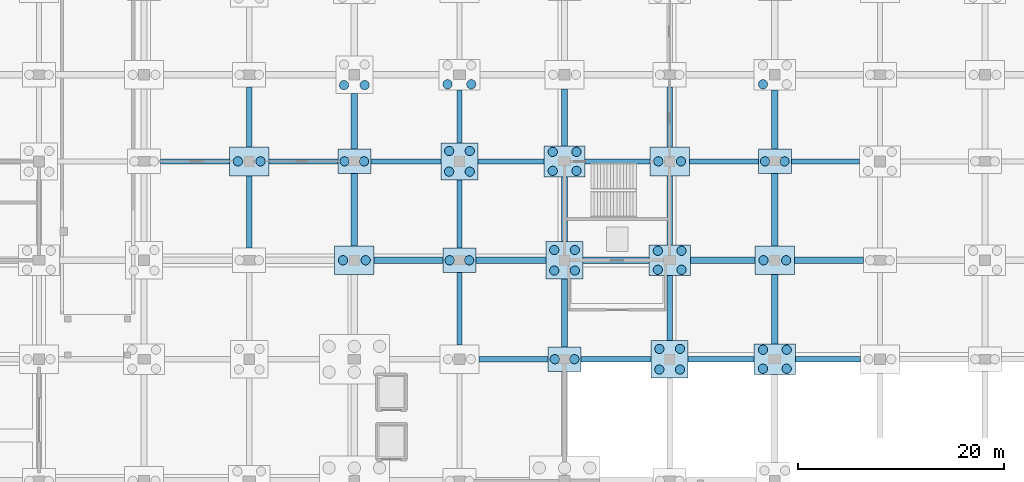
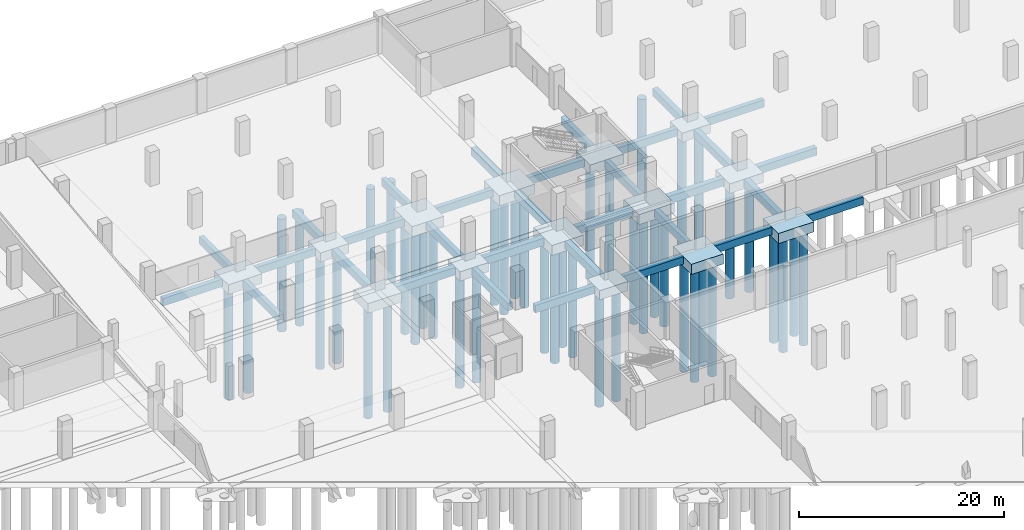
# One storey, part 15 of 52: 46 footings, 45 piles.
"""IFC4 building model written with IfcOpenShell, lengths in metres."""

from ifc_helpers import new_model, si_unit, direction, frame, origin, origin_2d, place, context, subcontext, project, spatial, polyline, rectangle, circle, outline, extrude, material, material_profile, profile_set, type_object, element, save


model = new_model("IFC4")

# Units and contexts
model_context = context("Model", 3, precision=1e-05, world=origin(), true_north=direction((0.0, 1.0)))
body_context = subcontext(model_context, "Body", "Model", "MODEL_VIEW")
ifc_project = project(units=[si_unit("LENGTHUNIT", "METRE"), si_unit("AREAUNIT", "SQUARE_METRE"), si_unit("VOLUMEUNIT", "CUBIC_METRE"), si_unit("PLANEANGLEUNIT", "RADIAN"), si_unit("MASSUNIT", "GRAM", prefix="KILO")], contexts=[model_context])

# Site, building, storey
site_placement = place(None, origin())
site = spatial("IfcSite", under=ifc_project, at=site_placement, CompositionType="ELEMENT")
building_placement = place(site_placement, origin())
building = spatial("IfcBuilding", under=site, at=building_placement, Name="Brelvane Convention Centre", CompositionType="ELEMENT")
storey_placement = place(building_placement, frame((0.0, 0.0, -4.5)))
storey = spatial("IfcBuildingStorey", under=building, at=storey_placement, Name="B1", CompositionType="ELEMENT", Elevation=-4.5)

# Piles
ifc_material_1 = material(Name="Concrete M40", Category="concrete")
ifc_material_profile_1 = material_profile(ifc_material_1, circle(Radius=0.449951171875, at=origin_2d()), Name="PILE D900")
ifc_profile_set_1 = profile_set([ifc_material_profile_1], Name="Concrete M40")
pile_type = type_object("IfcPileType", Name="Bored Pile PL-900", PredefinedType="BORED", material=ifc_profile_set_1)
for number, where, z_axis, x_axis, name in (
    (1, (131.5, 118.800048828125, -1.5), (0.0, 0.0, -1.0), (1.0, 0.0, 0.0), "Bored Pile PL-900 14-M-1"),
    (2, (133.699951171875, 118.800048828125, -1.5), (0.0, 0.0, -1.0), (1.0, 0.0, 0.0), "Bored Pile PL-900 14-M-2"),
    (3, (141.699951171875, 109.199951171875, -1.5), (0.0, 0.0, -1.0), (1.0, 0.0, 0.0), "Bored Pile PL-900 15-L-1"),
    (4, (143.89990234375, 109.199951171875, -1.5), (0.0, 0.0, -1.0), (1.0, 0.0, 0.0), "Bored Pile PL-900 15-L-2"),
):
    element("IfcPile", number, at=place(storey_placement, frame(where, z_axis=z_axis, x_axis=x_axis)), inside=storey, type_object=pile_type, Name=name, PredefinedType="BORED", context=body_context, shape_type="SweptSolid", body=[
        extrude(circle(Radius=0.449951171875, at=origin_2d()), origin(), (0.0, 0.0, 1.0), 13.5),
    ])
for number, where, z_axis, x_axis, name in (
    (5, (141.85009765625, 118.800048828125, -1.449951171875), (0.0, 0.0, -1.0), (1.0, 0.0, 0.0), "Bored Pile PL-900 15-M-1"),
    (6, (143.75, 118.800048828125, -1.449951171875), (0.0, 0.0, -1.0), (1.0, 0.0, 0.0), "Bored Pile PL-900 15-M-2"),
):
    element("IfcPile", number, at=place(storey_placement, frame(where, z_axis=z_axis, x_axis=x_axis)), inside=storey, type_object=pile_type, Name=name, PredefinedType="BORED", context=body_context, shape_type="SweptSolid", body=[
        extrude(circle(Radius=0.449951171875, at=origin_2d()), origin(), (0.0, 0.0, 1.0), 13.550048828125),
    ])
for number, where, z_axis, x_axis, name in (
    (7, (141.800048828125, 126.199951171875, -1.550048828125), (0.0, 0.0, -1.0), (1.0, 0.0, 0.0), "Bored Pile PL-900 15-N-1"),
    (8, (143.800048828125, 126.199951171875, -1.550048828125), (0.0, 0.0, -1.0), (1.0, 0.0, 0.0), "Bored Pile PL-900 15-N-2"),
):
    element("IfcPile", number, at=place(storey_placement, frame(where, z_axis=z_axis, x_axis=x_axis)), inside=storey, type_object=pile_type, Name=name, PredefinedType="BORED", context=body_context, shape_type="SweptSolid", body=[
        extrude(circle(Radius=0.449951171875, at=origin_2d()), origin(), (0.0, 0.0, 1.0), 13.449951171875),
    ])
for number, where, z_axis, x_axis, name in (
    (9, (152.050048828125, 109.199951171875, -1.449951171875), (0.0, 0.0, -1.0), (1.0, 0.0, 0.0), "Bored Pile PL-900 16-L-1"),
    (10, (153.949951171875, 109.199951171875, -1.449951171875), (0.0, 0.0, -1.0), (1.0, 0.0, 0.0), "Bored Pile PL-900 16-L-2"),
):
    element("IfcPile", number, at=place(storey_placement, frame(where, z_axis=z_axis, x_axis=x_axis)), inside=storey, type_object=pile_type, Name=name, PredefinedType="BORED", context=body_context, shape_type="SweptSolid", body=[
        extrude(circle(Radius=0.449951171875, at=origin_2d()), origin(), (0.0, 0.0, 1.0), 13.550048828125),
    ])
for number, where, z_axis, x_axis, name in (
    (11, (152.0, 117.800048828125, -1.550048828125), (0.0, 0.0, -1.0), (1.0, 0.0, 0.0), "Bored Pile PL-900 16-M-1"),
    (12, (154.0, 117.800048828125, -1.550048828125), (0.0, 0.0, -1.0), (1.0, 0.0, 0.0), "Bored Pile PL-900 16-M-2"),
    (13, (152.0, 119.800048828125, -1.550048828125), (0.0, 0.0, -1.0), (1.0, 0.0, 0.0), "Bored Pile PL-900 16-M-3"),
    (14, (154.0, 119.800048828125, -1.550048828125), (0.0, 0.0, -1.0), (1.0, 0.0, 0.0), "Bored Pile PL-900 16-M-4"),
    (15, (151.85009765625, 126.280029296875, -1.550048828125), (0.0, 0.0, -1.0), (1.0, 0.0, 0.0), "Bored Pile PL-900 16-N-1"),
    (16, (154.14990234375, 126.280029296875, -1.550048828125), (0.0, 0.0, -1.0), (1.0, 0.0, 0.0), "Bored Pile PL-900 16-N-2"),
):
    element("IfcPile", number, at=place(storey_placement, frame(where, z_axis=z_axis, x_axis=x_axis)), inside=storey, type_object=pile_type, Name=name, PredefinedType="BORED", context=body_context, shape_type="SweptSolid", body=[
        extrude(circle(Radius=0.449951171875, at=origin_2d()), origin(), (0.0, 0.0, 1.0), 13.449951171875),
    ])
for number, where, z_axis, x_axis, name in (
    (17, (162.25, 99.60009765625, -1.449951171875), (0.0, 0.0, -1.0), (1.0, 0.0, 0.0), "Bored Pile PL-900 17-K-1"),
    (18, (164.14990234375, 99.60009765625, -1.449951171875), (0.0, 0.0, -1.0), (1.0, 0.0, 0.0), "Bored Pile PL-900 17-K-2"),
):
    element("IfcPile", number, at=place(storey_placement, frame(where, z_axis=z_axis, x_axis=x_axis)), inside=storey, type_object=pile_type, Name=name, PredefinedType="BORED", context=body_context, shape_type="SweptSolid", body=[
        extrude(circle(Radius=0.449951171875, at=origin_2d()), origin(), (0.0, 0.0, 1.0), 13.550048828125),
    ])
for number, where, z_axis, x_axis, name in (
    (19, (162.199951171875, 108.199951171875, -1.550048828125), (0.0, 0.0, -1.0), (1.0, 0.0, 0.0), "Bored Pile PL-900 17-L-1"),
    (20, (164.199951171875, 108.199951171875, -1.550048828125), (0.0, 0.0, -1.0), (1.0, 0.0, 0.0), "Bored Pile PL-900 17-L-2"),
    (21, (162.199951171875, 110.199951171875, -1.550048828125), (0.0, 0.0, -1.0), (1.0, 0.0, 0.0), "Bored Pile PL-900 17-L-3"),
    (22, (164.199951171875, 110.199951171875, -1.550048828125), (0.0, 0.0, -1.0), (1.0, 0.0, 0.0), "Bored Pile PL-900 17-L-4"),
    (23, (162.050048828125, 117.8798828125, -1.550048828125), (0.0, 0.0, -1.0), (1.0, 0.0, 0.0), "Bored Pile PL-900 17-M-1"),
    (24, (164.35009765625, 117.8798828125, -1.550048828125), (0.0, 0.0, -1.0), (1.0, 0.0, 0.0), "Bored Pile PL-900 17-M-2"),
    (25, (162.050048828125, 119.719970703125, -1.550048828125), (0.0, 0.0, -1.0), (1.0, 0.0, 0.0), "Bored Pile PL-900 17-M-3"),
    (26, (164.35009765625, 119.719970703125, -1.550048828125), (0.0, 0.0, -1.0), (1.0, 0.0, 0.0), "Bored Pile PL-900 17-M-4"),
    (27, (172.39990234375, 98.60009765625, -1.550048828125), (0.0, 0.0, -1.0), (1.0, 0.0, 0.0), "Bored Pile PL-900 18-K-1"),
    (28, (174.39990234375, 98.60009765625, -1.550048828125), (0.0, 0.0, -1.0), (1.0, 0.0, 0.0), "Bored Pile PL-900 18-K-2"),
    (29, (172.39990234375, 100.60009765625, -1.550048828125), (0.0, 0.0, -1.0), (1.0, 0.0, 0.0), "Bored Pile PL-900 18-K-3"),
    (30, (174.39990234375, 100.60009765625, -1.550048828125), (0.0, 0.0, -1.0), (1.0, 0.0, 0.0), "Bored Pile PL-900 18-K-4"),
    (31, (172.25, 108.280029296875, -1.550048828125), (0.0, 0.0, -1.0), (1.0, 0.0, 0.0), "Bored Pile PL-900 18-L-1"),
    (32, (174.550048828125, 108.280029296875, -1.550048828125), (0.0, 0.0, -1.0), (1.0, 0.0, 0.0), "Bored Pile PL-900 18-L-2"),
    (33, (172.25, 110.1201171875, -1.550048828125), (0.0, 0.0, -1.0), (1.0, 0.0, 0.0), "Bored Pile PL-900 18-L-3"),
    (34, (174.550048828125, 110.1201171875, -1.550048828125), (0.0, 0.0, -1.0), (1.0, 0.0, 0.0), "Bored Pile PL-900 18-L-4"),
):
    element("IfcPile", number, at=place(storey_placement, frame(where, z_axis=z_axis, x_axis=x_axis)), inside=storey, type_object=pile_type, Name=name, PredefinedType="BORED", context=body_context, shape_type="SweptSolid", body=[
        extrude(circle(Radius=0.449951171875, at=origin_2d()), origin(), (0.0, 0.0, 1.0), 13.449951171875),
    ])
for number, where, z_axis, x_axis, name in (
    (35, (172.300048828125, 118.800048828125, -1.5), (0.0, 0.0, -1.0), (1.0, 0.0, 0.0), "Bored Pile PL-900 18-M-1"),
    (36, (174.5, 118.800048828125, -1.5), (0.0, 0.0, -1.0), (1.0, 0.0, 0.0), "Bored Pile PL-900 18-M-2"),
):
    element("IfcPile", number, at=place(storey_placement, frame(where, z_axis=z_axis, x_axis=x_axis)), inside=storey, type_object=pile_type, Name=name, PredefinedType="BORED", context=body_context, shape_type="SweptSolid", body=[
        extrude(circle(Radius=0.449951171875, at=origin_2d()), origin(), (0.0, 0.0, 1.0), 13.5),
    ])
for number, where, z_axis, x_axis, name in (
    (37, (182.449951171875, 98.679931640625, -1.550048828125), (0.0, 0.0, -1.0), (1.0, 0.0, 0.0), "Bored Pile PL-900 19-K-1"),
    (38, (184.75, 98.679931640625, -1.550048828125), (0.0, 0.0, -1.0), (1.0, 0.0, 0.0), "Bored Pile PL-900 19-K-2"),
    (39, (182.449951171875, 100.52001953125, -1.550048828125), (0.0, 0.0, -1.0), (1.0, 0.0, 0.0), "Bored Pile PL-900 19-K-3"),
    (40, (184.75, 100.52001953125, -1.550048828125), (0.0, 0.0, -1.0), (1.0, 0.0, 0.0), "Bored Pile PL-900 19-K-4"),
):
    element("IfcPile", number, at=place(storey_placement, frame(where, z_axis=z_axis, x_axis=x_axis)), inside=storey, type_object=pile_type, Name=name, PredefinedType="BORED", context=body_context, shape_type="SweptSolid", body=[
        extrude(circle(Radius=0.449951171875, at=origin_2d()), origin(), (0.0, 0.0, 1.0), 13.449951171875),
    ])
for number, where, z_axis, x_axis, name in (
    (41, (182.5, 109.199951171875, -1.5), (0.0, 0.0, -1.0), (1.0, 0.0, 0.0), "Bored Pile PL-900 19-L-1"),
    (42, (184.699951171875, 109.199951171875, -1.5), (0.0, 0.0, -1.0), (1.0, 0.0, 0.0), "Bored Pile PL-900 19-L-2"),
):
    element("IfcPile", number, at=place(storey_placement, frame(where, z_axis=z_axis, x_axis=x_axis)), inside=storey, type_object=pile_type, Name=name, PredefinedType="BORED", context=body_context, shape_type="SweptSolid", body=[
        extrude(circle(Radius=0.449951171875, at=origin_2d()), origin(), (0.0, 0.0, 1.0), 13.5),
    ])
for number, where, z_axis, x_axis, name in (
    (43, (182.64990234375, 118.800048828125, -1.449951171875), (0.0, 0.0, -1.0), (1.0, 0.0, 0.0), "Bored Pile PL-900 19-M-1"),
    (44, (184.550048828125, 118.800048828125, -1.449951171875), (0.0, 0.0, -1.0), (1.0, 0.0, 0.0), "Bored Pile PL-900 19-M-2"),
):
    element("IfcPile", number, at=place(storey_placement, frame(where, z_axis=z_axis, x_axis=x_axis)), inside=storey, type_object=pile_type, Name=name, PredefinedType="BORED", context=body_context, shape_type="SweptSolid", body=[
        extrude(circle(Radius=0.449951171875, at=origin_2d()), origin(), (0.0, 0.0, 1.0), 13.550048828125),
    ])
pile_placement = place(storey_placement, frame((182.449951171875, 126.280029296875, -1.550048828125), z_axis=(0.0, 0.0, -1.0), x_axis=(1.0, 0.0, 0.0)))
element("IfcPile", 45, at=pile_placement, inside=storey, type_object=pile_type, Name="Bored Pile PL-900 19-N-1", PredefinedType="BORED", context=body_context, shape_type="SweptSolid", body=[
    extrude(circle(Radius=0.449951171875, at=origin_2d()), origin(), (0.0, 0.0, 1.0), 13.449951171875),
])

# Footings
ifc_material_2 = material(Name="Concrete M40", Category="concrete")
ifc_material_profile_2 = material_profile(ifc_material_2, rectangle(XDim=0.60009765625, YDim=0.89990234375, at=origin_2d()), Name="RC 600x900")
ifc_profile_set_2 = profile_set([ifc_material_profile_2], Name="Concrete M40")
footing_type_1 = type_object("IfcFootingType", Name="Ground Tie Beam GB-1", PredefinedType="FOOTING_BEAM", material=ifc_profile_set_2)
footing_1_placement = place(storey_placement, frame((144.699951171875, 109.199951171875, -0.89990234375), z_axis=(1.0, 0.0, 0.0), x_axis=(0.0, 1.0, 0.0)))
element("IfcFooting", 46, at=footing_1_placement, inside=storey, type_object=footing_type_1, Name="Ground Tie Beam GB-1 15-16/L", PredefinedType="FOOTING_BEAM", context=body_context, shape_type="SweptSolid", body=[
    extrude(rectangle(XDim=0.60009765625, YDim=0.89990234375, at=origin_2d()), origin(), (0.0, 0.0, 1.0), 6.699951171875),
])
footing_2_placement = place(storey_placement, frame((142.800048828125, 110.60009765625, -0.89990234375), z_axis=(0.0, 1.0, 0.0), x_axis=(-1.0, 0.0, 0.0)))
element("IfcFooting", 47, at=footing_2_placement, inside=storey, type_object=footing_type_1, Name="Ground Tie Beam GB-1 15/L-M", PredefinedType="FOOTING_BEAM", context=body_context, shape_type="SweptSolid", body=[
    extrude(rectangle(XDim=0.60009765625, YDim=0.89990234375, at=origin_2d()), origin(), (0.0, 0.0, 1.0), 7.0),
])
footing_3_placement = place(storey_placement, frame((142.800048828125, 120.0, -0.89990234375), z_axis=(0.0, 1.0, 0.0), x_axis=(-1.0, 0.0, 0.0)))
element("IfcFooting", 48, at=footing_3_placement, inside=storey, type_object=footing_type_1, Name="Ground Tie Beam GB-1 15/M-N", PredefinedType="FOOTING_BEAM", context=body_context, shape_type="SweptSolid", body=[
    extrude(rectangle(XDim=0.60009765625, YDim=0.89990234375, at=origin_2d()), origin(), (0.0, 0.0, 1.0), 5.39990234375),
])
footing_4_placement = place(storey_placement, frame((154.60009765625, 109.199951171875, -0.89990234375), z_axis=(1.0, 0.0, 0.0), x_axis=(0.0, 1.0, 0.0)))
element("IfcFooting", 49, at=footing_4_placement, inside=storey, type_object=footing_type_1, Name="Ground Tie Beam GB-1 16-17/L", PredefinedType="FOOTING_BEAM", context=body_context, shape_type="SweptSolid", body=[
    extrude(rectangle(XDim=0.60009765625, YDim=0.89990234375, at=origin_2d()), origin(), (0.0, 0.0, 1.0), 6.7998046875),
])
footing_5_placement = place(storey_placement, frame((163.199951171875, 100.800048828125, -0.89990234375), z_axis=(0.0, 1.0, 0.0), x_axis=(-1.0, 0.0, 0.0)))
element("IfcFooting", 50, at=footing_5_placement, inside=storey, type_object=footing_type_1, Name="Ground Tie Beam GB-1 17/K-L", PredefinedType="FOOTING_BEAM", context=body_context, shape_type="SweptSolid", body=[
    extrude(rectangle(XDim=0.60009765625, YDim=0.89990234375, at=origin_2d()), origin(), (0.0, 0.0, 1.0), 6.599853515625),
])
footing_6_placement = place(storey_placement, frame((165.0, 109.199951171875, -0.89990234375), z_axis=(1.0, 0.0, 0.0), x_axis=(0.0, 1.0, 0.0)))
element("IfcFooting", 51, at=footing_6_placement, inside=storey, type_object=footing_type_1, Name="Ground Tie Beam GB-1 17-18/L", PredefinedType="FOOTING_BEAM", context=body_context, shape_type="SweptSolid", body=[
    extrude(rectangle(XDim=0.60009765625, YDim=0.89990234375, at=origin_2d()), origin(), (0.0, 0.0, 1.0), 6.39990234375),
])
footing_7_placement = place(storey_placement, frame((163.199951171875, 111.0, -0.89990234375), z_axis=(0.0, 1.0, 0.0), x_axis=(-1.0, 0.0, 0.0)))
element("IfcFooting", 52, at=footing_7_placement, inside=storey, type_object=footing_type_1, Name="Ground Tie Beam GB-1 17/L-M", PredefinedType="FOOTING_BEAM", context=body_context, shape_type="SweptSolid", body=[
    extrude(rectangle(XDim=0.60009765625, YDim=0.89990234375, at=origin_2d()), origin(), (0.0, 0.0, 1.0), 6.300048828125),
])
footing_8_placement = place(storey_placement, frame((163.199951171875, 120.300048828125, -0.89990234375), z_axis=(0.0, 1.0, 0.0), x_axis=(-1.0, 0.0, 0.0)))
element("IfcFooting", 53, at=footing_8_placement, inside=storey, type_object=footing_type_1, Name="Ground Tie Beam GB-1 17/M-N", PredefinedType="FOOTING_BEAM", context=body_context, shape_type="SweptSolid", body=[
    extrude(rectangle(XDim=0.60009765625, YDim=0.89990234375, at=origin_2d()), origin(), (0.0, 0.0, 1.0), 5.5),
])
footing_9_placement = place(storey_placement, frame((175.39990234375, 109.199951171875, -0.89990234375), z_axis=(1.0, 0.0, 0.0), x_axis=(0.0, 1.0, 0.0)))
element("IfcFooting", 54, at=footing_9_placement, inside=storey, type_object=footing_type_1, Name="Ground Tie Beam GB-1 18-19/L", PredefinedType="FOOTING_BEAM", context=body_context, shape_type="SweptSolid", body=[
    extrude(rectangle(XDim=0.60009765625, YDim=0.89990234375, at=origin_2d()), origin(), (0.0, 0.0, 1.0), 6.300048828125),
])
for number, where, z_axis, x_axis, name in (
    (55, (183.60009765625, 101.10009765625, -0.89990234375), (0.0, 1.0, 0.0), (-1.0, 0.0, 0.0), "Ground Tie Beam GB-1 19/K-L"),
    (56, (185.5, 109.199951171875, -0.89990234375), (1.0, 0.0, 0.0), (0.0, 1.0, 0.0), "Ground Tie Beam GB-1 19-20/L"),
):
    element("IfcFooting", number, at=place(storey_placement, frame(where, z_axis=z_axis, x_axis=x_axis)), inside=storey, type_object=footing_type_1, Name=name, PredefinedType="FOOTING_BEAM", context=body_context, shape_type="SweptSolid", body=[
        extrude(rectangle(XDim=0.60009765625, YDim=0.89990234375, at=origin_2d()), origin(), (0.0, 0.0, 1.0), 6.699951171875),
    ])
footing_10_placement = place(storey_placement, frame((183.60009765625, 110.60009765625, -0.89990234375), z_axis=(0.0, 1.0, 0.0), x_axis=(-1.0, 0.0, 0.0)))
element("IfcFooting", 57, at=footing_10_placement, inside=storey, type_object=footing_type_1, Name="Ground Tie Beam GB-1 19/L-M", PredefinedType="FOOTING_BEAM", context=body_context, shape_type="SweptSolid", body=[
    extrude(rectangle(XDim=0.60009765625, YDim=0.89990234375, at=origin_2d()), origin(), (0.0, 0.0, 1.0), 7.0),
])
footing_11_placement = place(storey_placement, frame((183.60009765625, 120.0, -0.89990234375), z_axis=(0.0, 1.0, 0.0), x_axis=(-1.0, 0.0, 0.0)))
element("IfcFooting", 58, at=footing_11_placement, inside=storey, type_object=footing_type_1, Name="Ground Tie Beam GB-1 19/M-N", PredefinedType="FOOTING_BEAM", context=body_context, shape_type="SweptSolid", body=[
    extrude(rectangle(XDim=0.60009765625, YDim=0.89990234375, at=origin_2d()), origin(), (0.0, 0.0, 1.0), 5.699951171875),
])
ifc_material_3 = material(Name="Concrete M40", Category="concrete")
ifc_material_profile_3 = material_profile(ifc_material_3, rectangle(XDim=0.5, YDim=0.89990234375, at=origin_2d()), Name="RC 500x900")
ifc_profile_set_3 = profile_set([ifc_material_profile_3], Name="Concrete M40")
footing_type_2 = type_object("IfcFootingType", Name="Ground Tie Beam GB-2", PredefinedType="FOOTING_BEAM", material=ifc_profile_set_3)
footing_12_placement = place(storey_placement, frame((124.0, 118.800048828125, -0.89990234375), z_axis=(1.0, 0.0, 0.0), x_axis=(0.0, 1.0, 0.0)))
element("IfcFooting", 59, at=footing_12_placement, inside=storey, type_object=footing_type_2, Name="Ground Tie Beam GB-2 13-14/M", PredefinedType="FOOTING_BEAM", context=body_context, shape_type="SweptSolid", body=[
    extrude(rectangle(XDim=0.5, YDim=0.89990234375, at=origin_2d()), origin(), (0.0, 0.0, 1.0), 6.699951171875),
])
footing_13_placement = place(storey_placement, frame((132.60009765625, 110.39990234375, -0.89990234375), z_axis=(0.0, 1.0, 0.0), x_axis=(-1.0, 0.0, 0.0)))
element("IfcFooting", 60, at=footing_13_placement, inside=storey, type_object=footing_type_2, Name="Ground Tie Beam GB-2 14/L-M", PredefinedType="FOOTING_BEAM", context=body_context, shape_type="SweptSolid", body=[
    extrude(rectangle(XDim=0.5, YDim=0.89990234375, at=origin_2d()), origin(), (0.0, 0.0, 1.0), 7.0),
])
footing_14_placement = place(storey_placement, frame((134.5, 118.800048828125, -0.89990234375), z_axis=(1.0, 0.0, 0.0), x_axis=(0.0, 1.0, 0.0)))
element("IfcFooting", 61, at=footing_14_placement, inside=storey, type_object=footing_type_2, Name="Ground Tie Beam GB-2 14-15/M", PredefinedType="FOOTING_BEAM", context=body_context, shape_type="SweptSolid", body=[
    extrude(rectangle(XDim=0.5, YDim=0.89990234375, at=origin_2d()), origin(), (0.0, 0.0, 1.0), 6.699951171875),
])
footing_15_placement = place(storey_placement, frame((132.60009765625, 120.199951171875, -0.89990234375), z_axis=(0.0, 1.0, 0.0), x_axis=(-1.0, 0.0, 0.0)))
element("IfcFooting", 62, at=footing_15_placement, inside=storey, type_object=footing_type_2, Name="Ground Tie Beam GB-2 14/M-N", PredefinedType="FOOTING_BEAM", context=body_context, shape_type="SweptSolid", body=[
    extrude(rectangle(XDim=0.5, YDim=0.89990234375, at=origin_2d()), origin(), (0.0, 0.0, 1.0), 5.800048828125),
])
footing_16_placement = place(storey_placement, frame((144.39990234375, 118.800048828125, -0.89990234375), z_axis=(1.0, 0.0, 0.0), x_axis=(0.0, 1.0, 0.0)))
element("IfcFooting", 63, at=footing_16_placement, inside=storey, type_object=footing_type_2, Name="Ground Tie Beam GB-2 15-16/M", PredefinedType="FOOTING_BEAM", context=body_context, shape_type="SweptSolid", body=[
    extrude(rectangle(XDim=0.5, YDim=0.89990234375, at=origin_2d()), origin(), (0.0, 0.0, 1.0), 6.800048828125),
])
footing_17_placement = place(storey_placement, frame((154.89990234375, 99.60009765625, -0.89990234375), z_axis=(1.0, 0.0, 0.0), x_axis=(0.0, 1.0, 0.0)))
element("IfcFooting", 64, at=footing_17_placement, inside=storey, type_object=footing_type_2, Name="Ground Tie Beam GB-2 16-17/K", PredefinedType="FOOTING_BEAM", context=body_context, shape_type="SweptSolid", body=[
    extrude(rectangle(XDim=0.5, YDim=0.89990234375, at=origin_2d()), origin(), (0.0, 0.0, 1.0), 6.7001953125),
])
footing_18_placement = place(storey_placement, frame((153.0, 101.0, -0.89990234375), z_axis=(0.0, 1.0, 0.0), x_axis=(-1.0, 0.0, 0.0)))
element("IfcFooting", 65, at=footing_18_placement, inside=storey, type_object=footing_type_2, Name="Ground Tie Beam GB-2 16/K-L", PredefinedType="FOOTING_BEAM", context=body_context, shape_type="SweptSolid", body=[
    extrude(rectangle(XDim=0.5, YDim=0.89990234375, at=origin_2d()), origin(), (0.0, 0.0, 1.0), 7.0),
])
footing_19_placement = place(storey_placement, frame((153.0, 110.39990234375, -0.89990234375), z_axis=(0.0, 1.0, 0.0), x_axis=(-1.0, 0.0, 0.0)))
element("IfcFooting", 66, at=footing_19_placement, inside=storey, type_object=footing_type_2, Name="Ground Tie Beam GB-2 16/L-M", PredefinedType="FOOTING_BEAM", context=body_context, shape_type="SweptSolid", body=[
    extrude(rectangle(XDim=0.5, YDim=0.89990234375, at=origin_2d()), origin(), (0.0, 0.0, 1.0), 6.60009765625),
])
footing_20_placement = place(storey_placement, frame((154.800048828125, 118.800048828125, -0.89990234375), z_axis=(1.0, 0.0, 0.0), x_axis=(0.0, 1.0, 0.0)))
element("IfcFooting", 67, at=footing_20_placement, inside=storey, type_object=footing_type_2, Name="Ground Tie Beam GB-2 16-17/M", PredefinedType="FOOTING_BEAM", context=body_context, shape_type="SweptSolid", body=[
    extrude(rectangle(XDim=0.5, YDim=0.89990234375, at=origin_2d()), origin(), (0.0, 0.0, 1.0), 6.39990234375),
])
footing_21_placement = place(storey_placement, frame((153.0, 120.60009765625, -0.89990234375), z_axis=(0.0, 1.0, 0.0), x_axis=(-1.0, 0.0, 0.0)))
element("IfcFooting", 68, at=footing_21_placement, inside=storey, type_object=footing_type_2, Name="Ground Tie Beam GB-2 16/M-N", PredefinedType="FOOTING_BEAM", context=body_context, shape_type="SweptSolid", body=[
    extrude(rectangle(XDim=0.5, YDim=0.89990234375, at=origin_2d()), origin(), (0.0, 0.0, 1.0), 5.099853515625),
])
footing_22_placement = place(storey_placement, frame((164.800048828125, 99.60009765625, -0.89990234375), z_axis=(1.0, 0.0, 0.0), x_axis=(0.0, 1.0, 0.0)))
element("IfcFooting", 69, at=footing_22_placement, inside=storey, type_object=footing_type_2, Name="Ground Tie Beam GB-2 17-18/K", PredefinedType="FOOTING_BEAM", context=body_context, shape_type="SweptSolid", body=[
    extrude(rectangle(XDim=0.5, YDim=0.89990234375, at=origin_2d()), origin(), (0.0, 0.0, 1.0), 6.800048828125),
])
footing_23_placement = place(storey_placement, frame((165.199951171875, 118.800048828125, -0.89990234375), z_axis=(1.0, 0.0, 0.0), x_axis=(0.0, 1.0, 0.0)))
element("IfcFooting", 70, at=footing_23_placement, inside=storey, type_object=footing_type_2, Name="Ground Tie Beam GB-2 17-18/M", PredefinedType="FOOTING_BEAM", context=body_context, shape_type="SweptSolid", body=[
    extrude(rectangle(XDim=0.5, YDim=0.89990234375, at=origin_2d()), origin(), (0.0, 0.0, 1.0), 6.300048828125),
])
footing_24_placement = place(storey_placement, frame((175.199951171875, 99.60009765625, -0.89990234375), z_axis=(1.0, 0.0, 0.0), x_axis=(0.0, 1.0, 0.0)))
element("IfcFooting", 71, at=footing_24_placement, inside=storey, type_object=footing_type_2, Name="Ground Tie Beam GB-2 18-19/K", PredefinedType="FOOTING_BEAM", context=body_context, shape_type="SweptSolid", body=[
    extrude(rectangle(XDim=0.5, YDim=0.89990234375, at=origin_2d()), origin(), (0.0, 0.0, 1.0), 6.400146484375),
])
footing_25_placement = place(storey_placement, frame((173.39990234375, 101.39990234375, -0.89990234375), z_axis=(0.0, 1.0, 0.0), x_axis=(-1.0, 0.0, 0.0)))
element("IfcFooting", 72, at=footing_25_placement, inside=storey, type_object=footing_type_2, Name="Ground Tie Beam GB-2 18/K-L", PredefinedType="FOOTING_BEAM", context=body_context, shape_type="SweptSolid", body=[
    extrude(rectangle(XDim=0.5, YDim=0.89990234375, at=origin_2d()), origin(), (0.0, 0.0, 1.0), 6.300048828125),
])
for number, where, z_axis, x_axis, name in (
    (73, (173.39990234375, 110.699951171875, -0.89990234375), (0.0, 1.0, 0.0), (-1.0, 0.0, 0.0), "Ground Tie Beam GB-2 18/L-M"),
    (74, (175.300048828125, 118.800048828125, -0.89990234375), (1.0, 0.0, 0.0), (0.0, 1.0, 0.0), "Ground Tie Beam GB-2 18-19/M"),
):
    element("IfcFooting", number, at=place(storey_placement, frame(where, z_axis=z_axis, x_axis=x_axis)), inside=storey, type_object=footing_type_2, Name=name, PredefinedType="FOOTING_BEAM", context=body_context, shape_type="SweptSolid", body=[
        extrude(rectangle(XDim=0.5, YDim=0.89990234375, at=origin_2d()), origin(), (0.0, 0.0, 1.0), 6.699951171875),
    ])
footing_26_placement = place(storey_placement, frame((173.39990234375, 120.199951171875, -0.89990234375), z_axis=(0.0, 1.0, 0.0), x_axis=(-1.0, 0.0, 0.0)))
element("IfcFooting", 75, at=footing_26_placement, inside=storey, type_object=footing_type_2, Name="Ground Tie Beam GB-2 18/M-N", PredefinedType="FOOTING_BEAM", context=body_context, shape_type="SweptSolid", body=[
    extrude(rectangle(XDim=0.5, YDim=0.89990234375, at=origin_2d()), origin(), (0.0, 0.0, 1.0), 5.800048828125),
])
footing_27_placement = place(storey_placement, frame((185.60009765625, 99.60009765625, -0.89990234375), z_axis=(1.0, 0.0, 0.0), x_axis=(0.0, 1.0, 0.0)))
element("IfcFooting", 76, at=footing_27_placement, inside=storey, type_object=footing_type_2, Name="Ground Tie Beam GB-2 19-20/K", PredefinedType="FOOTING_BEAM", context=body_context, shape_type="SweptSolid", body=[
    extrude(rectangle(XDim=0.5, YDim=0.89990234375, at=origin_2d()), origin(), (0.0, 0.0, 1.0), 6.2998046875),
])
footing_28_placement = place(storey_placement, frame((185.199951171875, 118.800048828125, -0.89990234375), z_axis=(1.0, 0.0, 0.0), x_axis=(0.0, 1.0, 0.0)))
element("IfcFooting", 77, at=footing_28_placement, inside=storey, type_object=footing_type_2, Name="Ground Tie Beam GB-2 19-20/M", PredefinedType="FOOTING_BEAM", context=body_context, shape_type="SweptSolid", body=[
    extrude(rectangle(XDim=0.5, YDim=0.89990234375, at=origin_2d()), origin(), (0.0, 0.0, 1.0), 6.60009765625),
])
ifc_material_4 = material(Name="Concrete M40", Category="concrete")
footing_type_3 = type_object("IfcFootingType", Name="Pile Cap PC-2", PredefinedType="PILE_CAP", material=ifc_material_4)
footing_29_placement = place(storey_placement, frame((0.0, 0.0, -1.550048828125)))
element("IfcFooting", 78, at=footing_29_placement, inside=storey, type_object=footing_type_3, Name="Pile Cap PC-2 at 15-M", PredefinedType="PILE_CAP", context=body_context, shape_type="SweptSolid", body=[
    extrude(outline(polyline([(141.199951171875, 117.60009765625), (144.39990234375, 117.60009765625), (144.39990234375, 120.0), (141.199951171875, 120.0), (141.199951171875, 117.60009765625)])), origin(), (0.0, 0.0, 1.0), 1.10009765625),
])
footing_30_placement = place(storey_placement, frame((0.0, 0.0, -1.550048828125)))
element("IfcFooting", 79, at=footing_30_placement, inside=storey, type_object=footing_type_3, Name="Pile Cap PC-2 at 16-L", PredefinedType="PILE_CAP", context=body_context, shape_type="SweptSolid", body=[
    extrude(outline(polyline([(151.39990234375, 108.0), (154.60009765625, 108.0), (154.60009765625, 110.39990234375), (151.39990234375, 110.39990234375), (151.39990234375, 108.0)])), origin(), (0.0, 0.0, 1.0), 1.10009765625),
])
footing_31_placement = place(storey_placement, frame((0.0, 0.0, -1.550048828125)))
element("IfcFooting", 80, at=footing_31_placement, inside=storey, type_object=footing_type_3, Name="Pile Cap PC-2 at 17-K", PredefinedType="PILE_CAP", context=body_context, shape_type="SweptSolid", body=[
    extrude(outline(polyline([(161.60009765625, 98.39990234375), (164.800048828125, 98.39990234375), (164.800048828125, 100.800048828125), (161.60009765625, 100.800048828125), (161.60009765625, 98.39990234375)])), origin(), (0.0, 0.0, 1.0), 1.10009765625),
])
footing_32_placement = place(storey_placement, frame((0.0, 0.0, -1.550048828125)))
element("IfcFooting", 81, at=footing_32_placement, inside=storey, type_object=footing_type_3, Name="Pile Cap PC-2 at 19-M", PredefinedType="PILE_CAP", context=body_context, shape_type="SweptSolid", body=[
    extrude(outline(polyline([(182.0, 117.60009765625), (185.199951171875, 117.60009765625), (185.199951171875, 120.0), (182.0, 120.0), (182.0, 117.60009765625)])), origin(), (0.0, 0.0, 1.0), 1.10009765625),
])
ifc_material_5 = material(Name="Concrete M40", Category="concrete")
footing_type_4 = type_object("IfcFootingType", Name="Pile Cap PC-3", PredefinedType="PILE_CAP", material=ifc_material_5)
footing_33_placement = place(storey_placement, frame((0.0, 0.0, -1.64990234375)))
element("IfcFooting", 82, at=footing_33_placement, inside=storey, type_object=footing_type_4, Name="Pile Cap PC-3 at 16-M", PredefinedType="PILE_CAP", context=body_context, shape_type="SweptSolid", body=[
    extrude(outline(polyline([(151.199951171875, 117.0), (154.800048828125, 117.0), (154.800048828125, 120.60009765625), (151.199951171875, 120.60009765625), (151.199951171875, 117.0)])), origin(), (0.0, 0.0, 1.0), 1.199951171875),
])
footing_34_placement = place(storey_placement, frame((0.0, 0.0, -1.64990234375)))
element("IfcFooting", 83, at=footing_34_placement, inside=storey, type_object=footing_type_4, Name="Pile Cap PC-3 at 17-L", PredefinedType="PILE_CAP", context=body_context, shape_type="SweptSolid", body=[
    extrude(outline(polyline([(161.39990234375, 107.39990234375), (165.0, 107.39990234375), (165.0, 111.0), (161.39990234375, 111.0), (161.39990234375, 107.39990234375)])), origin(), (0.0, 0.0, 1.0), 1.199951171875),
])
footing_35_placement = place(storey_placement, frame((0.0, 0.0, -1.64990234375)))
element("IfcFooting", 84, at=footing_35_placement, inside=storey, type_object=footing_type_4, Name="Pile Cap PC-3 at 18-K", PredefinedType="PILE_CAP", context=body_context, shape_type="SweptSolid", body=[
    extrude(outline(polyline([(171.60009765625, 97.800048828125), (175.199951171875, 97.800048828125), (175.199951171875, 101.39990234375), (171.60009765625, 101.39990234375), (171.60009765625, 97.800048828125)])), origin(), (0.0, 0.0, 1.0), 1.199951171875),
])
ifc_material_6 = material(Name="Concrete M40", Category="concrete")
footing_type_5 = type_object("IfcFootingType", Name="Pile Cap PC-4", PredefinedType="PILE_CAP", material=ifc_material_6)
footing_36_placement = place(storey_placement, frame((0.0, 0.0, -1.64990234375)))
element("IfcFooting", 85, at=footing_36_placement, inside=storey, type_object=footing_type_5, Name="Pile Cap PC-4 at 17-M", PredefinedType="PILE_CAP", context=body_context, shape_type="SweptSolid", body=[
    extrude(outline(polyline([(161.199951171875, 117.300048828125), (165.199951171875, 117.300048828125), (165.199951171875, 120.300048828125), (161.199951171875, 120.300048828125), (161.199951171875, 117.300048828125)])), origin(), (0.0, 0.0, 1.0), 1.199951171875),
])
footing_37_placement = place(storey_placement, frame((0.0, 0.0, -1.64990234375)))
element("IfcFooting", 86, at=footing_37_placement, inside=storey, type_object=footing_type_5, Name="Pile Cap PC-4 at 18-L", PredefinedType="PILE_CAP", context=body_context, shape_type="SweptSolid", body=[
    extrude(outline(polyline([(171.39990234375, 107.699951171875), (175.39990234375, 107.699951171875), (175.39990234375, 110.699951171875), (171.39990234375, 110.699951171875), (171.39990234375, 107.699951171875)])), origin(), (0.0, 0.0, 1.0), 1.199951171875),
])
footing_38_placement = place(storey_placement, frame((0.0, 0.0, -1.64990234375)))
element("IfcFooting", 87, at=footing_38_placement, inside=storey, type_object=footing_type_5, Name="Pile Cap PC-4 at 19-K", PredefinedType="PILE_CAP", context=body_context, shape_type="SweptSolid", body=[
    extrude(outline(polyline([(181.60009765625, 98.10009765625), (185.60009765625, 98.10009765625), (185.60009765625, 101.10009765625), (181.60009765625, 101.10009765625), (181.60009765625, 98.10009765625)])), origin(), (0.0, 0.0, 1.0), 1.199951171875),
])
ifc_material_7 = material(Name="Concrete M40", Category="concrete")
footing_type_6 = type_object("IfcFootingType", Name="Pile Cap PC-9", PredefinedType="PILE_CAP", material=ifc_material_7)
footing_39_placement = place(storey_placement, frame((0.0, 0.0, -1.60009765625)))
element("IfcFooting", 88, at=footing_39_placement, inside=storey, type_object=footing_type_6, Name="Pile Cap PC-9 at 14-M", PredefinedType="PILE_CAP", context=body_context, shape_type="SweptSolid", body=[
    extrude(outline(polyline([(130.699951171875, 117.39990234375), (134.5, 117.39990234375), (134.5, 120.199951171875), (130.699951171875, 120.199951171875), (130.699951171875, 117.39990234375)])), origin(), (0.0, 0.0, 1.0), 1.150146484375),
])
footing_40_placement = place(storey_placement, frame((0.0, 0.0, -1.60009765625)))
element("IfcFooting", 89, at=footing_40_placement, inside=storey, type_object=footing_type_6, Name="Pile Cap PC-9 at 15-L", PredefinedType="PILE_CAP", context=body_context, shape_type="SweptSolid", body=[
    extrude(outline(polyline([(140.89990234375, 107.800048828125), (144.699951171875, 107.800048828125), (144.699951171875, 110.60009765625), (140.89990234375, 110.60009765625), (140.89990234375, 107.800048828125)])), origin(), (0.0, 0.0, 1.0), 1.150146484375),
])
footing_41_placement = place(storey_placement, frame((0.0, 0.0, -1.60009765625)))
element("IfcFooting", 90, at=footing_41_placement, inside=storey, type_object=footing_type_6, Name="Pile Cap PC-9 at 18-M", PredefinedType="PILE_CAP", context=body_context, shape_type="SweptSolid", body=[
    extrude(outline(polyline([(171.5, 117.39990234375), (175.300048828125, 117.39990234375), (175.300048828125, 120.199951171875), (171.5, 120.199951171875), (171.5, 117.39990234375)])), origin(), (0.0, 0.0, 1.0), 1.150146484375),
])
footing_42_placement = place(storey_placement, frame((0.0, 0.0, -1.60009765625)))
element("IfcFooting", 91, at=footing_42_placement, inside=storey, type_object=footing_type_6, Name="Pile Cap PC-9 at 19-L", PredefinedType="PILE_CAP", context=body_context, shape_type="SweptSolid", body=[
    extrude(outline(polyline([(181.699951171875, 107.800048828125), (185.5, 107.800048828125), (185.5, 110.60009765625), (181.699951171875, 110.60009765625), (181.699951171875, 107.800048828125)])), origin(), (0.0, 0.0, 1.0), 1.150146484375),
])

save(model, "model.ifc")
